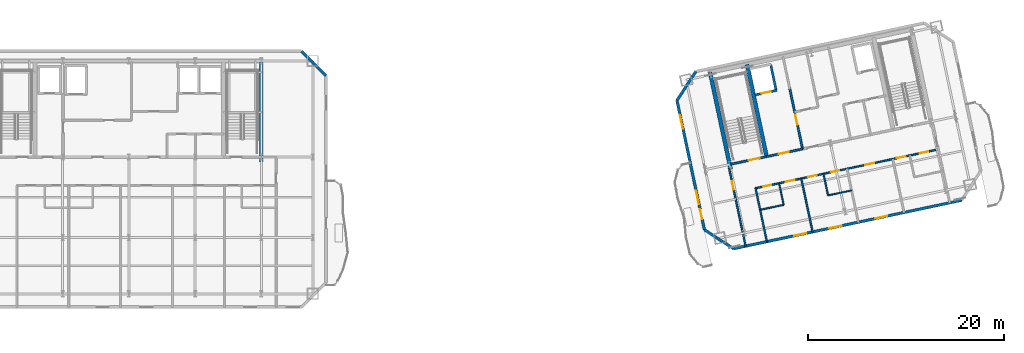
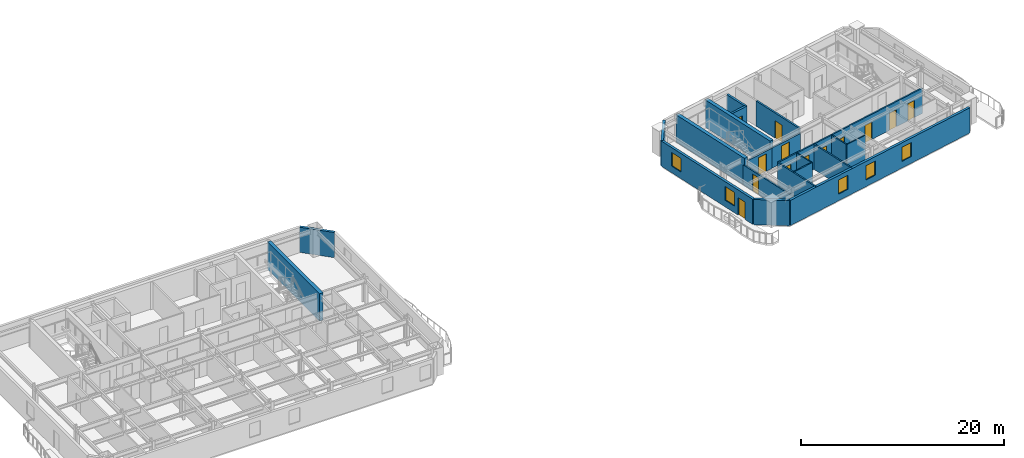
# One storey, part 8 of 14: 21 walls, 13 doors, 5 windows, 18 openings.
"""IFC4 building model written with IfcOpenShell, lengths in metres."""

from ifc_helpers import new_model, si_unit, direction, frame, frame_2d, origin, place, context, subcontext, project, spatial, rectangle, extrude, material, layer, layer_set, type_object, element, fill, save


model = new_model("IFC4")

# Units and contexts
model_context = context("Model", 3, precision=1e-05, world=origin(), true_north=direction((0.0, 1.0)))
body_context = subcontext(model_context, "Body", "Model", "MODEL_VIEW")
ifc_project = project(units=[si_unit("LENGTHUNIT", "METRE"), si_unit("AREAUNIT", "SQUARE_METRE"), si_unit("VOLUMEUNIT", "CUBIC_METRE"), si_unit("PLANEANGLEUNIT", "RADIAN"), si_unit("MASSUNIT", "GRAM", prefix="KILO")], contexts=[model_context])

# Site, building, storey
site_placement = place(None, origin())
site = spatial("IfcSite", under=ifc_project, at=site_placement, CompositionType="ELEMENT")
building_placement = place(site_placement, origin())
building = spatial("IfcBuilding", under=site, at=building_placement, Name="Haevon Station Towers", CompositionType="ELEMENT")
storey_placement = place(building_placement, frame((0.0, 0.0, 231.89990234375)))
storey = spatial("IfcBuildingStorey", under=building, at=storey_placement, Name="L64", CompositionType="ELEMENT", Elevation=231.89990234375)

# Wall, opening, door
ifc_material_1 = material(Name="Gypsum board on steel stud", Category="steel")
ifc_layer_1 = layer(ifc_material_1, 0.199951171875)
ifc_layer_set_1 = layer_set([ifc_layer_1], Name="Gypsum board on steel stud")
wall_type_1 = type_object("IfcWallType", Name="WL-COR200", PredefinedType="PARTITIONING", material=ifc_layer_set_1)
wall_1_placement = place(storey_placement, frame((98.75244140625, 37.4423828125, 0.0), z_axis=(0.0, 0.0, 1.0), x_axis=(0.978143537786, 0.207930804564, 0.0)))
wall_1 = element("IfcWall", 1, at=wall_1_placement, inside=storey, type_object=wall_type_1, Name="WL-ST-ST3-L64", PredefinedType="PARTITIONING", context=body_context, shape_type="SweptSolid", body=[
    extrude(rectangle(XDim=3.85009765625, YDim=0.199951171875, at=frame_2d((1.925048828125, 0.0))), origin(), (0.0, 0.0, 1.0), 2.43017578125),
])
opening_1_placement = place(wall_1_placement, frame((2.0, 0.0, 0.0)))
opening_1 = element("IfcOpeningElement", 2, at=opening_1_placement, cuts=wall_1, Name="Opening DR-ST-ST3-L64", PredefinedType="OPENING", context=body_context, shape_type="SweptSolid", body=[
    extrude(rectangle(XDim=1.1201171875, YDim=2.10009765625, at=frame_2d((0.56005859375, 1.050048828125))), frame((0.0, 0.10986328125, 0.0), z_axis=(0.0, -1.0, 0.0), x_axis=(1.0, 0.0, 0.0)), (0.0, 0.0, 1.0), 0.219970703125),
])
ifc_material_2 = material(Name="Engineered oak timber", Category="wood")
door_type_1 = type_object("IfcDoorType", Name="DR-ST-1120", OperationType="NOTDEFINED", PredefinedType="DOOR", material=ifc_material_2)
door_1_placement = place(opening_1_placement, origin())
door_1 = element("IfcDoor", 3, at=door_1_placement, inside=storey, type_object=door_type_1, Name="L64 Escape Stair ST3 Fire Door", OperationType="SINGLE_SWING_RIGHT", OverallHeight=2.10009765625, OverallWidth=1.1201171875, PredefinedType="DOOR", context=body_context, shape_type="SweptSolid", body=[
    extrude(rectangle(XDim=1.1201171875, YDim=2.10009765625, at=frame_2d((0.56005859375, 1.050048828125))), frame((0.0, 0.02490234375, 0.0), z_axis=(0.0, -1.0, 0.0), x_axis=(1.0, 0.0, 0.0)), (0.0, 0.0, 1.0), 0.050048828125),
])
fill(opening_1, door_1)

wall_2_placement = place(storey_placement, frame((106.186279296875, 39.0224609375, 0.0), z_axis=(0.0, 0.0, 1.0), x_axis=(-0.207916691923, 0.978146537703, 0.0)))
wall_2 = element("IfcWall", 4, at=wall_2_placement, inside=storey, type_object=wall_type_1, Name="WL-T2FFL-L64-E", PredefinedType="PARTITIONING", context=body_context, shape_type="SweptSolid", body=[
    extrude(rectangle(XDim=6.35009765625, YDim=0.199951171875, at=frame_2d((3.175048828125, 0.0))), origin(), (0.0, 0.0, 1.0), 3.030029296875),
])
opening_2_placement = place(wall_2_placement, frame((2.52001953125, 0.0, 0.0)))
opening_2 = element("IfcOpeningElement", 5, at=opening_2_placement, cuts=wall_2, Name="Opening DR-T2FFL-L64-E", PredefinedType="OPENING", context=body_context, shape_type="SweptSolid", body=[
    extrude(rectangle(XDim=1.050048828125, YDim=2.10009765625, at=frame_2d((0.52490234375, 1.050048828125))), frame((0.0, 0.10986328125, 0.0), z_axis=(0.0, -1.0, 0.0), x_axis=(1.0, 0.0, 0.0)), (0.0, 0.0, 1.0), 0.219970703125),
])
door_type_2 = type_object("IfcDoorType", Name="DR-FD60-1050", OperationType="NOTDEFINED", PredefinedType="DOOR", material=ifc_material_2)
door_2_placement = place(opening_2_placement, origin())
door_2 = element("IfcDoor", 6, at=door_2_placement, inside=storey, type_object=door_type_2, Name="L64 Tower 2 Firefighting Lift Lobby Door E", OperationType="SINGLE_SWING_RIGHT", OverallHeight=2.10009765625, OverallWidth=1.050048828125, PredefinedType="DOOR", context=body_context, shape_type="SweptSolid", body=[
    extrude(rectangle(XDim=1.050048828125, YDim=2.10009765625, at=frame_2d((0.52490234375, 1.050048828125))), frame((0.0, 0.02490234375, 0.0), z_axis=(0.0, -1.0, 0.0), x_axis=(1.0, 0.0, 0.0)), (0.0, 0.0, 1.0), 0.050048828125),
])
fill(opening_2, door_2)

wall_3_placement = place(storey_placement, frame((102.518310546875, 38.242919921875, 0.0), z_axis=(0.0, 0.0, 1.0), x_axis=(0.978153555683, 0.20788367301, 0.0)))
wall_3 = element("IfcWall", 7, at=wall_3_placement, inside=storey, type_object=wall_type_1, Name="WL-T2FFL-L64-S", PredefinedType="PARTITIONING", context=body_context, shape_type="SweptSolid", body=[
    extrude(rectangle(XDim=3.75, YDim=0.199951171875, at=frame_2d((1.875, 0.0))), origin(), (0.0, 0.0, 1.0), 2.43017578125),
])
opening_3_placement = place(wall_3_placement, frame((1.25, 0.0, 0.0)))
opening_3 = element("IfcOpeningElement", 8, at=opening_3_placement, cuts=wall_3, Name="Opening DR-T2FFL-L64-S", PredefinedType="OPENING", context=body_context, shape_type="SweptSolid", body=[
    extrude(rectangle(XDim=1.050048828125, YDim=2.10009765625, at=frame_2d((0.52490234375, 1.050048828125))), frame((0.0, 0.10986328125, 0.0), z_axis=(0.0, -1.0, 0.0), x_axis=(1.0, 0.0, 0.0)), (0.0, 0.0, 1.0), 0.219970703125),
])
door_3_placement = place(opening_3_placement, origin())
door_3 = element("IfcDoor", 9, at=door_3_placement, inside=storey, type_object=door_type_2, Name="L64 Tower 2 Firefighting Lift Lobby Door S", OperationType="SINGLE_SWING_LEFT", OverallHeight=2.10009765625, OverallWidth=1.050048828125, PredefinedType="DOOR", context=body_context, shape_type="SweptSolid", body=[
    extrude(rectangle(XDim=1.050048828125, YDim=2.10009765625, at=frame_2d((0.52490234375, 1.050048828125))), frame((0.0, 0.02490234375, 0.0), z_axis=(0.0, -1.0, 0.0), x_axis=(1.0, 0.0, 0.0)), (0.0, 0.0, 1.0), 0.050048828125),
])
fill(opening_3, door_3)

# Walls
ifc_material_3 = material(Name="Concrete C60/75", Category="concrete")
ifc_layer_2 = layer(ifc_material_3, 0.39990234375)
ifc_layer_set_2 = layer_set([ifc_layer_2], Name="Concrete C60/75")
wall_type_2 = type_object("IfcWallType", Name="WL-CR400", PredefinedType="SHEAR", material=ifc_layer_set_2)
wall_4_placement = place(storey_placement, frame((51.0, 37.679931640625, 0.0), z_axis=(0.0, 0.0, 1.0), x_axis=(0.0, 1.0, 0.0)))
element("IfcWall", 10, at=wall_4_placement, inside=storey, type_object=wall_type_2, Name="WL-T1CR-L64-E", PredefinedType="SHEAR", context=body_context, shape_type="SweptSolid", body=[
    extrude(rectangle(XDim=10.320068359375, YDim=0.39990234375, at=frame_2d((5.16015625, 0.0))), origin(), (0.0, 0.0, 1.0), 3.300048828125),
])
wall_5_placement = place(storey_placement, frame((98.8603515625, 36.933837890625, 0.0), z_axis=(0.0, 0.0, 1.0), x_axis=(-0.20790924889, 0.978148119778, 0.0)))
element("IfcWall", 11, at=wall_5_placement, inside=storey, type_object=wall_type_2, Name="WL-T2CR-L64-W", PredefinedType="SHEAR", context=body_context, shape_type="SweptSolid", body=[
    extrude(rectangle(XDim=10.119873046875, YDim=0.39990234375, at=frame_2d((5.06005859375, 0.0))), origin(), (0.0, 0.0, 1.0), 3.300048828125),
])
wall_6_placement = place(storey_placement, frame((102.518310546875, 38.242919921875, 0.0), z_axis=(0.0, 0.0, 1.0), x_axis=(-0.207927495108, 0.978144241295, 0.0)))
element("IfcWall", 12, at=wall_6_placement, inside=storey, type_object=wall_type_2, Name="WL-T2CR-L64-M1", PredefinedType="SHEAR", context=body_context, shape_type="SweptSolid", body=[
    extrude(rectangle(XDim=9.599853515625, YDim=0.39990234375, at=frame_2d((4.7998046875, 0.0))), origin(), (0.0, 0.0, 1.0), 3.300048828125),
])
ifc_material_4 = material(Name="Precast concrete C45/55", Category="concrete")
ifc_layer_3 = layer(ifc_material_4, 0.280029296875)
ifc_layer_set_3 = layer_set([ifc_layer_3], Name="Precast concrete C45/55")
wall_type_3 = type_object("IfcWallType", Name="WL-EXT-PIER280", PredefinedType="SOLIDWALL", material=ifc_layer_set_3)
wall_7_placement = place(storey_placement, frame((55.10009765625, 49.0, 0.0), z_axis=(0.0, 0.0, 1.0), x_axis=(0.707106781187, -0.707106781187, 0.0)))
element("IfcWall", 13, at=wall_7_placement, inside=storey, type_object=wall_type_3, Name="WL-T1-L64-NEC", PredefinedType="SOLIDWALL", context=body_context, shape_type="SweptSolid", body=[
    extrude(rectangle(XDim=3.53564453125, YDim=0.280029296875, at=frame_2d((1.767822265625, 0.0))), origin(), (0.0, 0.0, 1.0), 3.030029296875),
])

# Wall, openings, windows
wall_8_placement = place(storey_placement, frame((122.427978515625, 33.795166015625, 0.0), z_axis=(0.0, 0.0, 1.0), x_axis=(-0.978147847697, -0.207910528946, 0.0)))
wall_8 = element("IfcWall", 14, at=wall_8_placement, inside=storey, type_object=wall_type_3, Name="WL-T2-L64-S", PredefinedType="SOLIDWALL", context=body_context, shape_type="SweptSolid", body=[
    extrude(rectangle(XDim=23.7998046875, YDim=0.280029296875, at=frame_2d((11.89990234375, 0.0))), origin(), (0.0, 0.0, 1.0), 3.030029296875),
])
opening_4_placement = place(wall_8_placement, frame((16.211669921875, 0.0, 0.800048828125)))
opening_4 = element("IfcOpeningElement", 15, at=opening_4_placement, cuts=wall_8, Name="Opening WN-P125", PredefinedType="OPENING", context=body_context, shape_type="SweptSolid", body=[
    extrude(rectangle(XDim=1.25, YDim=1.699951171875, at=frame_2d((0.625, 0.85009765625))), frame((0.0, 0.14990234375, 0.0), z_axis=(0.0, -1.0, 0.0), x_axis=(1.0, 0.0, 0.0)), (0.0, 0.0, 1.0), 0.300048828125),
])
opening_5_placement = place(wall_8_placement, frame((12.54931640625, 0.0, 0.800048828125)))
opening_5 = element("IfcOpeningElement", 16, at=opening_5_placement, cuts=wall_8, Name="Opening WN-P125", PredefinedType="OPENING", context=body_context, shape_type="SweptSolid", body=[
    extrude(rectangle(XDim=1.25, YDim=1.699951171875, at=frame_2d((0.625, 0.85009765625))), frame((0.0, 0.14990234375, 0.0), z_axis=(0.0, -1.0, 0.0), x_axis=(1.0, 0.0, 0.0)), (0.0, 0.0, 1.0), 0.300048828125),
])
opening_6_placement = place(wall_8_placement, frame((7.78564453125, 0.0, 0.800048828125)))
opening_6 = element("IfcOpeningElement", 17, at=opening_6_placement, cuts=wall_8, Name="Opening WN-P125", PredefinedType="OPENING", context=body_context, shape_type="SweptSolid", body=[
    extrude(rectangle(XDim=1.25, YDim=1.699951171875, at=frame_2d((0.625, 0.85009765625))), frame((0.0, 0.14990234375, 0.0), z_axis=(0.0, -1.0, 0.0), x_axis=(1.0, 0.0, 0.0)), (0.0, 0.0, 1.0), 0.300048828125),
])
ifc_material_5 = material(Name="Low-E triple glazing in thermally broken aluminium", Category="aluminium")
window_type_1 = type_object("IfcWindowType", Name="WN-P125", PartitioningType="SINGLE_PANEL", PredefinedType="WINDOW", material=ifc_material_5)
window_1_placement = place(opening_4_placement, origin())
window_1 = element("IfcWindow", 18, at=window_1_placement, inside=storey, type_object=window_type_1, Name="WN-T2-L64-S01", OverallHeight=1.699951171875, OverallWidth=1.25, PartitioningType="SINGLE_PANEL", PredefinedType="WINDOW", context=body_context, shape_type="SweptSolid", body=[
    extrude(rectangle(XDim=1.25, YDim=1.699951171875, at=frame_2d((0.625, 0.85009765625))), frame((0.0, 0.030029296875, 0.0), z_axis=(0.0, -1.0, 0.0), x_axis=(1.0, 0.0, 0.0)), (0.0, 0.0, 1.0), 0.06005859375),
])
fill(opening_4, window_1)
window_2_placement = place(opening_5_placement, origin())
window_2 = element("IfcWindow", 19, at=window_2_placement, inside=storey, type_object=window_type_1, Name="WN-T2-L64-S02", OverallHeight=1.699951171875, OverallWidth=1.25, PartitioningType="SINGLE_PANEL", PredefinedType="WINDOW", context=body_context, shape_type="SweptSolid", body=[
    extrude(rectangle(XDim=1.25, YDim=1.699951171875, at=frame_2d((0.625, 0.85009765625))), frame((0.0, 0.030029296875, 0.0), z_axis=(0.0, -1.0, 0.0), x_axis=(1.0, 0.0, 0.0)), (0.0, 0.0, 1.0), 0.06005859375),
])
fill(opening_5, window_2)
window_3_placement = place(opening_6_placement, origin())
window_3 = element("IfcWindow", 20, at=window_3_placement, inside=storey, type_object=window_type_1, Name="WN-T2-L64-S03", OverallHeight=1.699951171875, OverallWidth=1.25, PartitioningType="SINGLE_PANEL", PredefinedType="WINDOW", context=body_context, shape_type="SweptSolid", body=[
    extrude(rectangle(XDim=1.25, YDim=1.699951171875, at=frame_2d((0.625, 0.85009765625))), frame((0.0, 0.030029296875, 0.0), z_axis=(0.0, -1.0, 0.0), x_axis=(1.0, 0.0, 0.0)), (0.0, 0.0, 1.0), 0.06005859375),
])
fill(opening_6, window_3)

# Wall
wall_9_placement = place(storey_placement, frame((99.148193359375, 28.846923828125, 0.0), z_axis=(0.0, 0.0, 1.0), x_axis=(-0.838692791597, 0.544604812064, 0.0)))
element("IfcWall", 21, at=wall_9_placement, inside=storey, type_object=wall_type_3, Name="WL-T2-L64-SWC", PredefinedType="SOLIDWALL", context=body_context, shape_type="SweptSolid", body=[
    extrude(rectangle(XDim=3.53564453125, YDim=0.280029296875, at=frame_2d((1.767822265625, 0.0))), origin(), (0.0, 0.0, 1.0), 3.030029296875),
])

# Wall, openings, door, windows
wall_10_placement = place(storey_placement, frame((96.182861328125, 30.7724609375, 0.0), z_axis=(0.0, 0.0, 1.0), x_axis=(-0.207907239961, 0.978148546782, 0.0)))
wall_10 = element("IfcWall", 22, at=wall_10_placement, inside=storey, type_object=wall_type_3, Name="WL-T2-L64-W", PredefinedType="SOLIDWALL", context=body_context, shape_type="SweptSolid", body=[
    extrude(rectangle(XDim=13.489990234375, YDim=0.280029296875, at=frame_2d((6.7451171875, 0.0))), origin(), (0.0, 0.0, 1.0), 3.030029296875),
])
opening_7_placement = place(wall_10_placement, frame((1.1201171875, 0.0, 0.0)))
opening_7 = element("IfcOpeningElement", 23, at=opening_7_placement, cuts=wall_10, Name="Opening DR-T2-SCAL-L64-W", PredefinedType="OPENING", context=body_context, shape_type="SweptSolid", body=[
    extrude(rectangle(XDim=1.050048828125, YDim=2.10009765625, at=frame_2d((0.52490234375, 1.050048828125))), frame((0.0, 0.14990234375, 0.0), z_axis=(0.0, -1.0, 0.0), x_axis=(1.0, 0.0, 0.0)), (0.0, 0.0, 1.0), 0.300048828125),
])
opening_8_placement = place(wall_10_placement, frame((2.673095703125, 0.0, 0.800048828125)))
opening_8 = element("IfcOpeningElement", 24, at=opening_8_placement, cuts=wall_10, Name="Opening WN-END140", PredefinedType="OPENING", context=body_context, shape_type="SweptSolid", body=[
    extrude(rectangle(XDim=1.39990234375, YDim=1.64990234375, at=frame_2d((0.699951171875, 0.824951171875))), frame((0.0, 0.14990234375, 0.0), z_axis=(0.0, -1.0, 0.0), x_axis=(1.0, 0.0, 0.0)), (0.0, 0.0, 1.0), 0.300048828125),
])
opening_9_placement = place(wall_10_placement, frame((10.540771484375, 0.0, 0.800048828125)))
opening_9 = element("IfcOpeningElement", 25, at=opening_9_placement, cuts=wall_10, Name="Opening WN-END140", PredefinedType="OPENING", context=body_context, shape_type="SweptSolid", body=[
    extrude(rectangle(XDim=1.39990234375, YDim=1.64990234375, at=frame_2d((0.699951171875, 0.824951171875))), frame((0.0, 0.14990234375, 0.0), z_axis=(0.0, -1.0, 0.0), x_axis=(1.0, 0.0, 0.0)), (0.0, 0.0, 1.0), 0.300048828125),
])
ifc_material_6 = material(Name="Thermally broken anodised aluminium and laminated safety glass", Category="aluminium")
door_type_3 = type_object("IfcDoorType", Name="DR-BALC-1050", OperationType="NOTDEFINED", PredefinedType="DOOR", material=ifc_material_6)
door_4_placement = place(opening_7_placement, origin())
door_4 = element("IfcDoor", 26, at=door_4_placement, inside=storey, type_object=door_type_3, Name="Tower 2 L64 West Scalloped Balcony Door", OperationType="SINGLE_SWING_LEFT", OverallHeight=2.10009765625, OverallWidth=1.050048828125, PredefinedType="DOOR", context=body_context, shape_type="SweptSolid", body=[
    extrude(rectangle(XDim=1.050048828125, YDim=2.10009765625, at=frame_2d((0.52490234375, 1.050048828125))), frame((0.0, 0.02490234375, 0.0), z_axis=(0.0, -1.0, 0.0), x_axis=(1.0, 0.0, 0.0)), (0.0, 0.0, 1.0), 0.050048828125),
])
fill(opening_7, door_4)
window_type_2 = type_object("IfcWindowType", Name="WN-END140", PartitioningType="SINGLE_PANEL", PredefinedType="WINDOW", material=ifc_material_5)
window_4_placement = place(opening_8_placement, origin())
window_4 = element("IfcWindow", 27, at=window_4_placement, inside=storey, type_object=window_type_2, Name="WN-T2-L64-W01", OverallHeight=1.64990234375, OverallWidth=1.39990234375, PartitioningType="SINGLE_PANEL", PredefinedType="WINDOW", context=body_context, shape_type="SweptSolid", body=[
    extrude(rectangle(XDim=1.39990234375, YDim=1.64990234375, at=frame_2d((0.699951171875, 0.824951171875))), frame((0.0, 0.030029296875, 0.0), z_axis=(0.0, -1.0, 0.0), x_axis=(1.0, 0.0, 0.0)), (0.0, 0.0, 1.0), 0.06005859375),
])
fill(opening_8, window_4)
window_5_placement = place(opening_9_placement, origin())
window_5 = element("IfcWindow", 28, at=window_5_placement, inside=storey, type_object=window_type_2, Name="WN-T2-L64-W02", OverallHeight=1.64990234375, OverallWidth=1.39990234375, PartitioningType="SINGLE_PANEL", PredefinedType="WINDOW", context=body_context, shape_type="SweptSolid", body=[
    extrude(rectangle(XDim=1.39990234375, YDim=1.64990234375, at=frame_2d((0.699951171875, 0.824951171875))), frame((0.0, 0.030029296875, 0.0), z_axis=(0.0, -1.0, 0.0), x_axis=(1.0, 0.0, 0.0)), (0.0, 0.0, 1.0), 0.06005859375),
])
fill(opening_9, window_5)

# Walls
wall_11_placement = place(storey_placement, frame((93.378173828125, 43.9677734375, 0.0), z_axis=(0.0, 0.0, 1.0), x_axis=(0.544636352948, 0.838672309694, 0.0)))
element("IfcWall", 29, at=wall_11_placement, inside=storey, type_object=wall_type_3, Name="WL-T2-L64-NWC", PredefinedType="SOLIDWALL", context=body_context, shape_type="SweptSolid", body=[
    extrude(rectangle(XDim=3.535400390625, YDim=0.280029296875, at=frame_2d((1.767578125, 0.0))), origin(), (0.0, 0.0, 1.0), 3.030029296875),
])
ifc_layer_4 = layer(ifc_material_1, 0.125)
ifc_layer_set_4 = layer_set([ifc_layer_4], Name="Gypsum board on steel stud")
wall_type_4 = type_object("IfcWallType", Name="WL-PRT125", PredefinedType="PARTITIONING", material=ifc_layer_set_4)
wall_12_placement = place(storey_placement, frame((104.25830078125, 33.3271484375, 0.0), z_axis=(0.0, 0.0, 1.0), x_axis=(-0.207891197838, 0.978151956427, 0.0)))
element("IfcWall", 30, at=wall_12_placement, inside=storey, type_object=wall_type_4, Name="WL-T2PT-L64-05", PredefinedType="PARTITIONING", context=body_context, shape_type="SweptSolid", body=[
    extrude(rectangle(XDim=2.25, YDim=0.125, at=frame_2d((1.125, 0.0))), origin(), (0.0, 0.0, 1.0), 3.030029296875),
])
wall_13_placement = place(storey_placement, frame((108.78466796875, 34.289306640625, 0.0), z_axis=(0.0, 0.0, 1.0), x_axis=(0.978136559131, 0.207963630695, 0.0)))
element("IfcWall", 31, at=wall_13_placement, inside=storey, type_object=wall_type_4, Name="WL-T2PT-L64-07", PredefinedType="PARTITIONING", context=body_context, shape_type="SweptSolid", body=[
    extrude(rectangle(XDim=2.449951171875, YDim=0.125, at=frame_2d((1.22509765625, 0.0))), origin(), (0.0, 0.0, 1.0), 3.030029296875),
])
ifc_layer_5 = layer(ifc_material_1, 0.139892578125)
ifc_layer_set_5 = layer_set([ifc_layer_5], Name="Gypsum board on steel stud")
wall_type_5 = type_object("IfcWallType", Name="WL-PRT140", PredefinedType="PARTITIONING", material=ifc_layer_set_5)
wall_14_placement = place(storey_placement, frame((101.86181640625, 32.81787109375, 0.0), z_axis=(0.0, 0.0, 1.0), x_axis=(0.978156824814, 0.207868290196, 0.0)))
element("IfcWall", 32, at=wall_14_placement, inside=storey, type_object=wall_type_5, Name="WL-T2PT-L64-04", PredefinedType="PARTITIONING", context=body_context, shape_type="SweptSolid", body=[
    extrude(rectangle(XDim=2.449951171875, YDim=0.139892578125, at=frame_2d((1.22509765625, 0.0))), origin(), (0.0, 0.0, 1.0), 3.030029296875),
])
wall_15_placement = place(storey_placement, frame((108.78466796875, 34.289306640625, 0.0), z_axis=(0.0, 0.0, 1.0), x_axis=(-0.207891197838, 0.978151956427, 0.0)))
element("IfcWall", 33, at=wall_15_placement, inside=storey, type_object=wall_type_5, Name="WL-T2PT-L64-08", PredefinedType="PARTITIONING", context=body_context, shape_type="SweptSolid", body=[
    extrude(rectangle(XDim=2.25, YDim=0.139892578125, at=frame_2d((1.125, 0.0))), origin(), (0.0, 0.0, 1.0), 3.030029296875),
])
ifc_layer_6 = layer(ifc_material_1, 0.159912109375)
ifc_layer_set_6 = layer_set([ifc_layer_6], Name="Gypsum board on steel stud")
wall_type_6 = type_object("IfcWallType", Name="WL-PRT160", PredefinedType="PARTITIONING", material=ifc_layer_set_6)
wall_16_placement = place(storey_placement, frame((102.552001953125, 29.5703125, 0.0), z_axis=(0.0, 0.0, 1.0), x_axis=(-0.207894403042, 0.978151275204, 0.0)))
element("IfcWall", 34, at=wall_16_placement, inside=storey, type_object=wall_type_6, Name="WL-T2PT-L64-01", PredefinedType="PARTITIONING", context=body_context, shape_type="SweptSolid", body=[
    extrude(rectangle(XDim=5.56982421875, YDim=0.159912109375, at=frame_2d((2.784912109375, 0.0))), origin(), (0.0, 0.0, 1.0), 3.030029296875),
])

# Wall, opening, door
wall_17_placement = place(storey_placement, frame((100.385498046875, 29.10986328125, 0.0), z_axis=(0.0, 0.0, 1.0), x_axis=(-0.207922572799, 0.978145287634, 0.0)))
wall_17 = element("IfcWall", 35, at=wall_17_placement, inside=storey, type_object=wall_type_6, Name="WL-T2PT-L64-02", PredefinedType="PARTITIONING", context=body_context, shape_type="SweptSolid", body=[
    extrude(rectangle(XDim=8.18994140625, YDim=0.159912109375, at=frame_2d((4.094970703125, 0.0))), origin(), (0.0, 0.0, 1.0), 2.43017578125),
])
opening_10_placement = place(wall_17_placement, frame((5.889892578125, 0.0, 0.0)))
opening_10 = element("IfcOpeningElement", 36, at=opening_10_placement, cuts=wall_17, Name="Opening DR-WL-T2PT-L64-02-01", PredefinedType="OPENING", context=body_context, shape_type="SweptSolid", body=[
    extrude(rectangle(XDim=0.89990234375, YDim=2.050048828125, at=frame_2d((0.449951171875, 1.02490234375))), frame((0.0, 0.08984375, 0.0), z_axis=(0.0, -1.0, 0.0), x_axis=(1.0, 0.0, 0.0)), (0.0, 0.0, 1.0), 0.179931640625),
])
door_type_4 = type_object("IfcDoorType", Name="DR-INT-900", OperationType="NOTDEFINED", PredefinedType="DOOR", material=ifc_material_2)
door_5_placement = place(opening_10_placement, origin())
door_5 = element("IfcDoor", 37, at=door_5_placement, inside=storey, type_object=door_type_4, Name="L64 Tower 2 Room Door 2-1", OperationType="SINGLE_SWING_RIGHT", OverallHeight=2.050048828125, OverallWidth=0.89990234375, PredefinedType="DOOR", context=body_context, shape_type="SweptSolid", body=[
    extrude(rectangle(XDim=0.89990234375, YDim=2.050048828125, at=frame_2d((0.449951171875, 1.02490234375))), frame((0.0, 0.02490234375, 0.0), z_axis=(0.0, -1.0, 0.0), x_axis=(1.0, 0.0, 0.0)), (0.0, 0.0, 1.0), 0.050048828125),
])
fill(opening_10, door_5)

# Wall
wall_18_placement = place(storey_placement, frame((107.211669921875, 30.560791015625, 0.0), z_axis=(0.0, 0.0, 1.0), x_axis=(-0.207894403042, 0.978151275204, 0.0)))
element("IfcWall", 38, at=wall_18_placement, inside=storey, type_object=wall_type_6, Name="WL-T2PT-L64-06", PredefinedType="PARTITIONING", context=body_context, shape_type="SweptSolid", body=[
    extrude(rectangle(XDim=5.56982421875, YDim=0.159912109375, at=frame_2d((2.784912109375, 0.0))), origin(), (0.0, 0.0, 1.0), 3.030029296875),
])

# Wall, openings, doors
wall_19_placement = place(storey_placement, frame((101.39404296875, 35.0185546875, 0.0), z_axis=(0.0, 0.0, 1.0), x_axis=(0.978146084609, 0.207918823497, 0.0)))
wall_19 = element("IfcWall", 39, at=wall_19_placement, inside=storey, type_object=wall_type_6, Name="WL-T2PT-L64-13", PredefinedType="PARTITIONING", context=body_context, shape_type="SweptSolid", body=[
    extrude(rectangle(XDim=19.05517578125, YDim=0.159912109375, at=frame_2d((9.527587890625, 0.0))), origin(), (0.0, 0.0, 1.0), 3.030029296875),
])
opening_11_placement = place(wall_19_placement, frame((0.800048828125, 0.0, 0.0)))
opening_11 = element("IfcOpeningElement", 40, at=opening_11_placement, cuts=wall_19, Name="Opening DR-WL-T2PT-L64-13-01", PredefinedType="OPENING", context=body_context, shape_type="SweptSolid", body=[
    extrude(rectangle(XDim=0.85009765625, YDim=2.050048828125, at=frame_2d((0.425048828125, 1.02490234375))), frame((0.0, 0.08984375, 0.0), z_axis=(0.0, -1.0, 0.0), x_axis=(1.0, 0.0, 0.0)), (0.0, 0.0, 1.0), 0.179931640625),
])
opening_12_placement = place(wall_19_placement, frame((3.156982421875, 0.0, 0.0)))
opening_12 = element("IfcOpeningElement", 41, at=opening_12_placement, cuts=wall_19, Name="Opening DR-WL-T2PT-L64-13-02", PredefinedType="OPENING", context=body_context, shape_type="SweptSolid", body=[
    extrude(rectangle(XDim=0.89990234375, YDim=2.050048828125, at=frame_2d((0.449951171875, 1.02490234375))), frame((0.0, 0.08984375, 0.0), z_axis=(0.0, -1.0, 0.0), x_axis=(1.0, 0.0, 0.0)), (0.0, 0.0, 1.0), 0.179931640625),
])
opening_13_placement = place(wall_19_placement, frame((7.8779296875, 0.0, 0.0)))
opening_13 = element("IfcOpeningElement", 42, at=opening_13_placement, cuts=wall_19, Name="Opening DR-WL-T2PT-L64-13-03", PredefinedType="OPENING", context=body_context, shape_type="SweptSolid", body=[
    extrude(rectangle(XDim=0.85009765625, YDim=2.050048828125, at=frame_2d((0.425048828125, 1.02490234375))), frame((0.0, 0.08984375, 0.0), z_axis=(0.0, -1.0, 0.0), x_axis=(1.0, 0.0, 0.0)), (0.0, 0.0, 1.0), 0.179931640625),
])
opening_14_placement = place(wall_19_placement, frame((5.470947265625, 0.0, 0.0)))
opening_14 = element("IfcOpeningElement", 43, at=opening_14_placement, cuts=wall_19, Name="Opening DR-WL-T2PT-L64-13-04", PredefinedType="OPENING", context=body_context, shape_type="SweptSolid", body=[
    extrude(rectangle(XDim=0.89990234375, YDim=2.050048828125, at=frame_2d((0.449951171875, 1.02490234375))), frame((0.0, 0.08984375, 0.0), z_axis=(0.0, -1.0, 0.0), x_axis=(1.0, 0.0, 0.0)), (0.0, 0.0, 1.0), 0.179931640625),
])
opening_15_placement = place(wall_19_placement, frame((11.43408203125, 0.0, 0.0)))
opening_15 = element("IfcOpeningElement", 44, at=opening_15_placement, cuts=wall_19, Name="Opening DR-WL-T2PT-L64-13-05", PredefinedType="OPENING", context=body_context, shape_type="SweptSolid", body=[
    extrude(rectangle(XDim=0.949951171875, YDim=2.10009765625, at=frame_2d((0.47509765625, 1.050048828125))), frame((0.0, 0.08984375, 0.0), z_axis=(0.0, -1.0, 0.0), x_axis=(1.0, 0.0, 0.0)), (0.0, 0.0, 1.0), 0.179931640625),
])
opening_16_placement = place(wall_19_placement, frame((17.137939453125, 0.0, 0.0)))
opening_16 = element("IfcOpeningElement", 45, at=opening_16_placement, cuts=wall_19, Name="Opening DR-WL-T2PT-L64-13-06", PredefinedType="OPENING", context=body_context, shape_type="SweptSolid", body=[
    extrude(rectangle(XDim=0.85009765625, YDim=2.050048828125, at=frame_2d((0.425048828125, 1.02490234375))), frame((0.0, 0.08984375, 0.0), z_axis=(0.0, -1.0, 0.0), x_axis=(1.0, 0.0, 0.0)), (0.0, 0.0, 1.0), 0.179931640625),
])
opening_17_placement = place(wall_19_placement, frame((14.73095703125, 0.0, 0.0)))
opening_17 = element("IfcOpeningElement", 46, at=opening_17_placement, cuts=wall_19, Name="Opening DR-WL-T2PT-L64-13-07", PredefinedType="OPENING", context=body_context, shape_type="SweptSolid", body=[
    extrude(rectangle(XDim=0.89990234375, YDim=2.050048828125, at=frame_2d((0.449951171875, 1.02490234375))), frame((0.0, 0.08984375, 0.0), z_axis=(0.0, -1.0, 0.0), x_axis=(1.0, 0.0, 0.0)), (0.0, 0.0, 1.0), 0.179931640625),
])
door_type_5 = type_object("IfcDoorType", Name="DR-FD30-850", OperationType="NOTDEFINED", PredefinedType="DOOR", material=ifc_material_2)
door_6_placement = place(opening_11_placement, origin())
door_6 = element("IfcDoor", 47, at=door_6_placement, inside=storey, type_object=door_type_5, Name="L64 Tower 2 Room Door 13-1", OperationType="SINGLE_SWING_RIGHT", OverallHeight=2.050048828125, OverallWidth=0.85009765625, PredefinedType="DOOR", context=body_context, shape_type="SweptSolid", body=[
    extrude(rectangle(XDim=0.85009765625, YDim=2.050048828125, at=frame_2d((0.425048828125, 1.02490234375))), frame((0.0, 0.02490234375, 0.0), z_axis=(0.0, -1.0, 0.0), x_axis=(1.0, 0.0, 0.0)), (0.0, 0.0, 1.0), 0.050048828125),
])
fill(opening_11, door_6)
door_7_placement = place(opening_13_placement, origin())
door_7 = element("IfcDoor", 48, at=door_7_placement, inside=storey, type_object=door_type_5, Name="L64 Tower 2 Room Door 13-3", OperationType="SINGLE_SWING_RIGHT", OverallHeight=2.050048828125, OverallWidth=0.85009765625, PredefinedType="DOOR", context=body_context, shape_type="SweptSolid", body=[
    extrude(rectangle(XDim=0.85009765625, YDim=2.050048828125, at=frame_2d((0.425048828125, 1.02490234375))), frame((0.0, 0.02490234375, 0.0), z_axis=(0.0, -1.0, 0.0), x_axis=(1.0, 0.0, 0.0)), (0.0, 0.0, 1.0), 0.050048828125),
])
fill(opening_13, door_7)
door_8_placement = place(opening_16_placement, origin())
door_8 = element("IfcDoor", 49, at=door_8_placement, inside=storey, type_object=door_type_5, Name="L64 Tower 2 Room Door 13-6", OperationType="SINGLE_SWING_LEFT", OverallHeight=2.050048828125, OverallWidth=0.85009765625, PredefinedType="DOOR", context=body_context, shape_type="SweptSolid", body=[
    extrude(rectangle(XDim=0.85009765625, YDim=2.050048828125, at=frame_2d((0.425048828125, 1.02490234375))), frame((0.0, 0.02490234375, 0.0), z_axis=(0.0, -1.0, 0.0), x_axis=(1.0, 0.0, 0.0)), (0.0, 0.0, 1.0), 0.050048828125),
])
fill(opening_16, door_8)
door_type_6 = type_object("IfcDoorType", Name="DR-FD30-950", OperationType="NOTDEFINED", PredefinedType="DOOR", material=ifc_material_2)
door_9_placement = place(opening_15_placement, origin())
door_9 = element("IfcDoor", 50, at=door_9_placement, inside=storey, type_object=door_type_6, Name="L64 Tower 2 Room Door 13-5", OperationType="SINGLE_SWING_RIGHT", OverallHeight=2.10009765625, OverallWidth=0.949951171875, PredefinedType="DOOR", context=body_context, shape_type="SweptSolid", body=[
    extrude(rectangle(XDim=0.949951171875, YDim=2.10009765625, at=frame_2d((0.47509765625, 1.050048828125))), frame((0.0, 0.02490234375, 0.0), z_axis=(0.0, -1.0, 0.0), x_axis=(1.0, 0.0, 0.0)), (0.0, 0.0, 1.0), 0.050048828125),
])
fill(opening_15, door_9)
door_10_placement = place(opening_12_placement, origin())
door_10 = element("IfcDoor", 51, at=door_10_placement, inside=storey, type_object=door_type_4, Name="L64 Tower 2 Room Door 13-2", OperationType="SINGLE_SWING_LEFT", OverallHeight=2.050048828125, OverallWidth=0.89990234375, PredefinedType="DOOR", context=body_context, shape_type="SweptSolid", body=[
    extrude(rectangle(XDim=0.89990234375, YDim=2.050048828125, at=frame_2d((0.449951171875, 1.02490234375))), frame((0.0, 0.02490234375, 0.0), z_axis=(0.0, -1.0, 0.0), x_axis=(1.0, 0.0, 0.0)), (0.0, 0.0, 1.0), 0.050048828125),
])
fill(opening_12, door_10)
door_11_placement = place(opening_14_placement, origin())
door_11 = element("IfcDoor", 52, at=door_11_placement, inside=storey, type_object=door_type_4, Name="L64 Tower 2 Room Door 13-4", OperationType="SINGLE_SWING_LEFT", OverallHeight=2.050048828125, OverallWidth=0.89990234375, PredefinedType="DOOR", context=body_context, shape_type="SweptSolid", body=[
    extrude(rectangle(XDim=0.89990234375, YDim=2.050048828125, at=frame_2d((0.449951171875, 1.02490234375))), frame((0.0, 0.02490234375, 0.0), z_axis=(0.0, -1.0, 0.0), x_axis=(1.0, 0.0, 0.0)), (0.0, 0.0, 1.0), 0.050048828125),
])
fill(opening_14, door_11)
door_12_placement = place(opening_17_placement, origin())
door_12 = element("IfcDoor", 53, at=door_12_placement, inside=storey, type_object=door_type_4, Name="L64 Tower 2 Room Door 13-7", OperationType="SINGLE_SWING_RIGHT", OverallHeight=2.050048828125, OverallWidth=0.89990234375, PredefinedType="DOOR", context=body_context, shape_type="SweptSolid", body=[
    extrude(rectangle(XDim=0.89990234375, YDim=2.050048828125, at=frame_2d((0.449951171875, 1.02490234375))), frame((0.0, 0.02490234375, 0.0), z_axis=(0.0, -1.0, 0.0), x_axis=(1.0, 0.0, 0.0)), (0.0, 0.0, 1.0), 0.050048828125),
])
fill(opening_17, door_12)

# Wall, opening, door
ifc_material_7 = material(Name="Concrete C40/50", Category="concrete")
ifc_layer_7 = layer(ifc_material_7, 0.239990234375)
ifc_layer_set_7 = layer_set([ifc_layer_7], Name="Concrete C40/50")
wall_type_7 = type_object("IfcWallType", Name="WL-SHF240", PredefinedType="PARTITIONING", material=ifc_layer_set_7)
wall_20_placement = place(storey_placement, frame((101.353759765625, 44.538330078125, 0.0), z_axis=(0.0, 0.0, 1.0), x_axis=(0.978141002414, 0.207942731049, 0.0)))
wall_20 = element("IfcWall", 54, at=wall_20_placement, inside=storey, type_object=wall_type_7, Name="WL-SHF-FL2-L64", PredefinedType="PARTITIONING", context=body_context, shape_type="SweptSolid", body=[
    extrude(rectangle(XDim=2.260009765625, YDim=0.239990234375, at=frame_2d((1.1298828125, 0.0))), origin(), (0.0, 0.0, 1.0), 3.030029296875),
])
opening_18_placement = place(wall_20_placement, frame((0.655029296875, 0.0, 0.0)))
opening_18 = element("IfcOpeningElement", 55, at=opening_18_placement, cuts=wall_20, Name="Opening LD-FL2-L64", PredefinedType="OPENING", context=body_context, shape_type="SweptSolid", body=[
    extrude(rectangle(XDim=0.949951171875, YDim=2.14990234375, at=frame_2d((0.47509765625, 1.074951171875))), frame((0.0, 0.1298828125, 0.0), z_axis=(0.0, -1.0, 0.0), x_axis=(1.0, 0.0, 0.0)), (0.0, 0.0, 1.0), 0.260009765625),
])
ifc_material_8 = material(Name="Stainless steel and rated core", Category="steel")
door_type_7 = type_object("IfcDoorType", Name="LD-FL950", OperationType="SLIDING_TO_LEFT", PredefinedType="DOOR", material=ifc_material_8)
door_13_placement = place(opening_18_placement, origin())
door_13 = element("IfcDoor", 56, at=door_13_placement, inside=storey, type_object=door_type_7, Name="L64 Lift FL2 Sliding Landing Door", OperationType="SLIDING_TO_LEFT", OverallHeight=2.14990234375, OverallWidth=0.949951171875, PredefinedType="DOOR", context=body_context, shape_type="SweptSolid", body=[
    extrude(rectangle(XDim=0.949951171875, YDim=2.14990234375, at=frame_2d((0.47509765625, 1.074951171875))), frame((0.0, 0.02490234375, 0.0), z_axis=(0.0, -1.0, 0.0), x_axis=(1.0, 0.0, 0.0)), (0.0, 0.0, 1.0), 0.050048828125),
])
fill(opening_18, door_13)

# Wall
wall_21_placement = place(storey_placement, frame((103.486328125, 44.99169921875, 0.0), z_axis=(0.0, 0.0, 1.0), x_axis=(-0.207978798957, 0.978133334052, 0.0)))
element("IfcWall", 57, at=wall_21_placement, inside=storey, type_object=wall_type_7, Name="WL-SHF-FL2-L64-E", PredefinedType="PARTITIONING", context=body_context, shape_type="SweptSolid", body=[
    extrude(rectangle(XDim=2.699951171875, YDim=0.239990234375, at=frame_2d((1.35009765625, 0.0))), origin(), (0.0, 0.0, 1.0), 3.030029296875),
])

save(model, "model.ifc")
